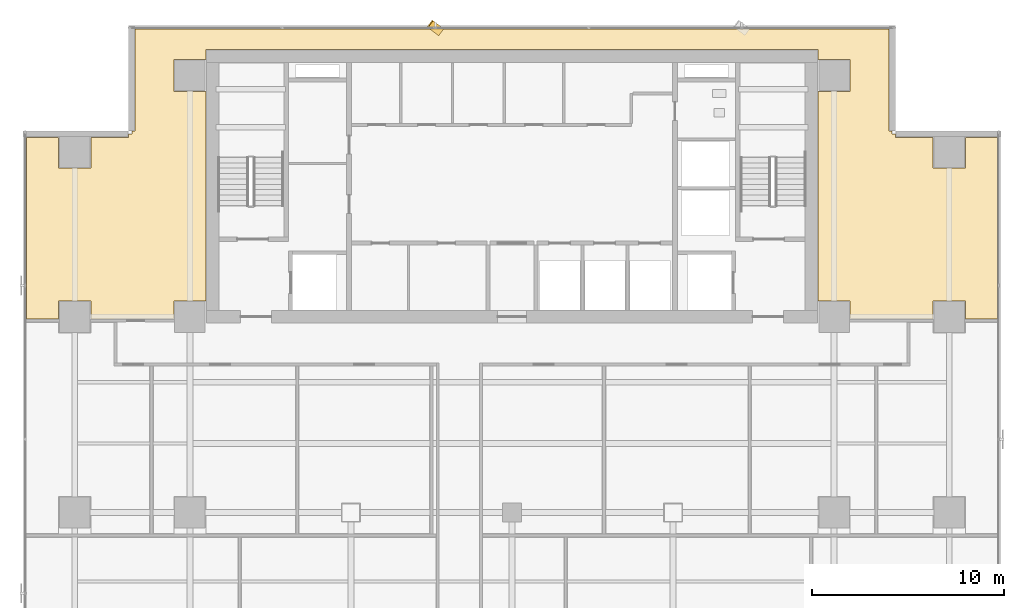
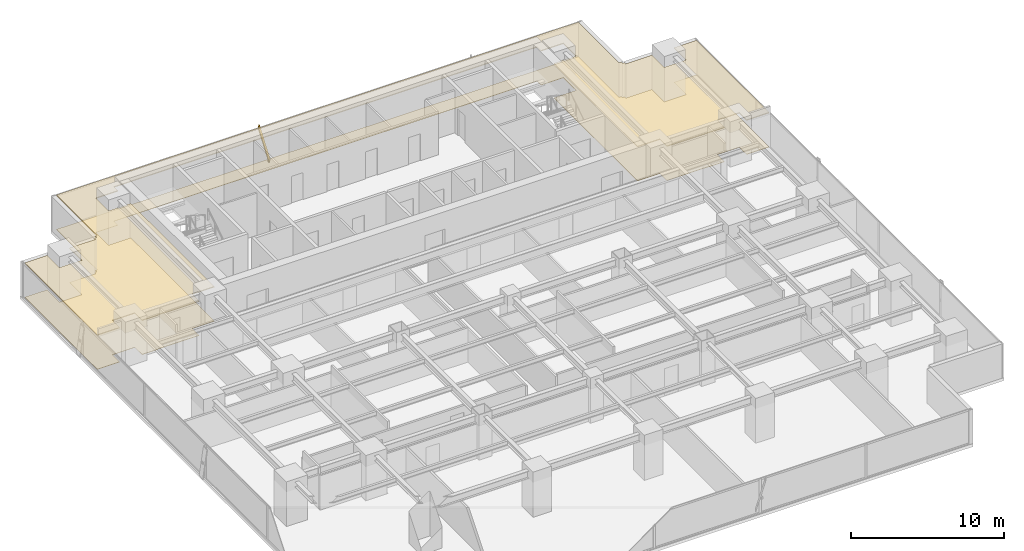
# One storey, part 32 of 34: 2 coverings, 1 shading device.
"""IFC4 building model written with IfcOpenShell, lengths in metres."""

from ifc_helpers import new_model, si_unit, direction, frame, origin, origin_2d, place, context, subcontext, project, spatial, polyline, rectangle, outline, extrude, source, transform, mapped, material, layer, layer_set, material_profile, profile_set, type_object, element, save


model = new_model("IFC4")

# Units and contexts
model_context = context("Model", 3, precision=1e-05, world=origin(), true_north=direction((0.0, 1.0)))
body_context = subcontext(model_context, "Body", "Model", "MODEL_VIEW")
ifc_project = project(units=[si_unit("LENGTHUNIT", "METRE"), si_unit("AREAUNIT", "SQUARE_METRE"), si_unit("VOLUMEUNIT", "CUBIC_METRE"), si_unit("PLANEANGLEUNIT", "RADIAN"), si_unit("MASSUNIT", "GRAM", prefix="KILO")], contexts=[model_context])

# Site, building, storey
site_placement = place(None, origin())
site = spatial("IfcSite", under=ifc_project, at=site_placement, CompositionType="ELEMENT")
building_placement = place(site_placement, origin())
building = spatial("IfcBuilding", under=site, at=building_placement, Name="Sumidabori Civic Tower", CompositionType="ELEMENT")
storey_placement = place(building_placement, frame((0.0, 0.0, 99.199951171875)))
storey = spatial("IfcBuildingStorey", under=building, at=storey_placement, Name="L25", CompositionType="ELEMENT", Elevation=99.199951171875)

# Coverings
ifc_material_1 = material(Name="Gypsum Coffered Acoustic Ceiling")
ifc_layer_1 = layer(ifc_material_1, 0.06494140625, Name="Gypsum Coffered Acoustic Ceiling")
ifc_layer_set_1 = layer_set([ifc_layer_1], Name="Gypsum Coffered Acoustic Ceiling")
covering_type_1 = type_object("IfcCoveringType", Name="CV-CEIL-AC4", PredefinedType="CEILING", material=ifc_layer_set_1)
covering_1_placement = place(storey_placement, frame((0.0, 0.0, 2.7099609375)))
element("IfcCovering", 1, at=covering_1_placement, inside=storey, type_object=covering_type_1, Name="Room Acoustic Ceiling L25-01", PredefinedType="CEILING", context=body_context, shape_type="SweptSolid", body=[
    extrude(outline(polyline([(-25.330078125, 10.094970703125), (-25.330078125, 19.572021484375), (-23.639892578125, 19.572021484375), (-23.639892578125, 17.9599609375), (-21.9599609375, 17.9599609375), (-21.9599609375, 19.572021484375), (-19.991943359375, 19.572021484375), (-19.991943359375, 19.72998046875), (-19.830078125, 19.72998046875), (-19.830078125, 19.89208984375), (-19.672119140625, 19.89208984375), (-19.672119140625, 25.22998046875), (19.672119140625, 25.22998046875), (19.672119140625, 19.89208984375), (19.830078125, 19.89208984375), (19.830078125, 19.72998046875), (19.991943359375, 19.72998046875), (19.991943359375, 19.572021484375), (21.9599609375, 19.572021484375), (21.9599609375, 17.9599609375), (23.639892578125, 17.9599609375), (23.639892578125, 19.572021484375), (25.330078125, 19.572021484375), (25.330078125, 10.094970703125), (23.639892578125, 10.094970703125), (23.639892578125, 11.0400390625), (21.9599609375, 11.0400390625), (21.9599609375, 10.094970703125), (20.77001953125, 10.094970703125), (20.77001953125, 10.1201171875), (17.639892578125, 10.1201171875), (17.639892578125, 11.0400390625), (15.952880859375, 11.0400390625), (15.952880859375, 21.9599609375), (17.639892578125, 21.9599609375), (17.639892578125, 23.639892578125), (15.952880859375, 23.639892578125), (15.952880859375, 24.153076171875), (-15.952880859375, 24.153076171875), (-15.952880859375, 23.639892578125), (-17.639892578125, 23.639892578125), (-17.639892578125, 21.9599609375), (-15.952880859375, 21.9599609375), (-15.952880859375, 11.0400390625), (-17.639892578125, 11.0400390625), (-17.639892578125, 10.1201171875), (-20.77001953125, 10.1201171875), (-20.77001953125, 10.094970703125), (-21.9599609375, 10.094970703125), (-21.9599609375, 11.0400390625), (-23.639892578125, 11.0400390625), (-23.639892578125, 10.094970703125), (-25.330078125, 10.094970703125)])), origin(), (0.0, 0.0, 1.0), 0.065185546875),
])
ifc_material_2 = material(Name="Honed Terrazzo Tile Flooring")
ifc_layer_2 = layer(ifc_material_2, 0.030029296875, Name="Honed Terrazzo Tile Flooring")
ifc_layer_set_2 = layer_set([ifc_layer_2], Name="Honed Terrazzo Tile Flooring")
covering_type_2 = type_object("IfcCoveringType", Name="CV-FLR-TER", PredefinedType="FLOORING", material=ifc_layer_set_2)
covering_2_placement = place(storey_placement, origin())
element("IfcCovering", 2, at=covering_2_placement, inside=storey, type_object=covering_type_2, Name="Room Terrazzo Floor L25-01", PredefinedType="FLOORING", context=body_context, shape_type="SweptSolid", body=[
    extrude(outline(polyline([(-25.330078125, 10.094970703125), (-25.330078125, 19.572021484375), (-23.639892578125, 19.572021484375), (-23.639892578125, 17.9599609375), (-21.9599609375, 17.9599609375), (-21.9599609375, 19.572021484375), (-19.991943359375, 19.572021484375), (-19.991943359375, 19.72998046875), (-19.830078125, 19.72998046875), (-19.830078125, 19.89208984375), (-19.672119140625, 19.89208984375), (-19.672119140625, 25.22998046875), (19.672119140625, 25.22998046875), (19.672119140625, 19.89208984375), (19.830078125, 19.89208984375), (19.830078125, 19.72998046875), (19.991943359375, 19.72998046875), (19.991943359375, 19.572021484375), (21.9599609375, 19.572021484375), (21.9599609375, 17.9599609375), (23.639892578125, 17.9599609375), (23.639892578125, 19.572021484375), (25.330078125, 19.572021484375), (25.330078125, 10.094970703125), (23.639892578125, 10.094970703125), (23.639892578125, 11.0400390625), (21.9599609375, 11.0400390625), (21.9599609375, 10.094970703125), (20.77001953125, 10.094970703125), (20.77001953125, 10.1201171875), (17.639892578125, 10.1201171875), (17.639892578125, 11.0400390625), (15.952880859375, 11.0400390625), (15.952880859375, 21.9599609375), (17.639892578125, 21.9599609375), (17.639892578125, 23.639892578125), (15.952880859375, 23.639892578125), (15.952880859375, 24.153076171875), (-15.952880859375, 24.153076171875), (-15.952880859375, 23.639892578125), (-17.639892578125, 23.639892578125), (-17.639892578125, 21.9599609375), (-15.952880859375, 21.9599609375), (-15.952880859375, 11.0400390625), (-17.639892578125, 11.0400390625), (-17.639892578125, 10.1201171875), (-20.77001953125, 10.1201171875), (-20.77001953125, 10.094970703125), (-21.9599609375, 10.094970703125), (-21.9599609375, 11.0400390625), (-23.639892578125, 11.0400390625), (-23.639892578125, 10.094970703125), (-25.330078125, 10.094970703125)])), origin(), (0.0, 0.0, 1.0), 0.030029296875),
])

# Shading device
ifc_material_3 = material(Name="Anodised Bronze Aluminium AW-6063-T6", Category="aluminium")
ifc_material_profile = material_profile(ifc_material_3, rectangle(XDim=0.06005859375, YDim=0.449951171875, at=origin_2d()), Name="BRONZE FIN 450x60")
ifc_profile_set = profile_set([ifc_material_profile], Name="Anodised Bronze Aluminium AW-6063-T6")
shading_device_type = type_object("IfcShadingDeviceType", Name="SH-FIN-450", PredefinedType="USERDEFINED", material=ifc_profile_set)
shared_shape = source(origin(), body_context, "Body", "SweptSolid", [
    extrude(rectangle(XDim=0.06005859375, YDim=0.449951171875, at=origin_2d()), origin(), (0.0, 0.0, 1.0), 2.769775390625),
])
shading_device_placement = place(storey_placement, frame((-3.714111328125, 25.070068359375, 0.02001953125), z_axis=(-0.202114092991, 0.151607605732, 0.967556214025), x_axis=(0.774004463215, -0.580587735163, 0.252655838447)))
element("IfcShadingDevice", 3, at=shading_device_placement, inside=storey, type_object=shading_device_type, Name="Bronze Anodised Diagonal Fin L25-03", ObjectType="FIN", PredefinedType="USERDEFINED", context=body_context, shape_type="MappedRepresentation", body=[
    mapped(shared_shape, transform((0.0, 0.0, 0.0), x_axis=(1.0, 0.0, 0.0), y_axis=(0.0, 1.0, 0.0), z_axis=(0.0, 0.0, 1.0), scale=1.0)),
])

save(model, "model.ifc")
